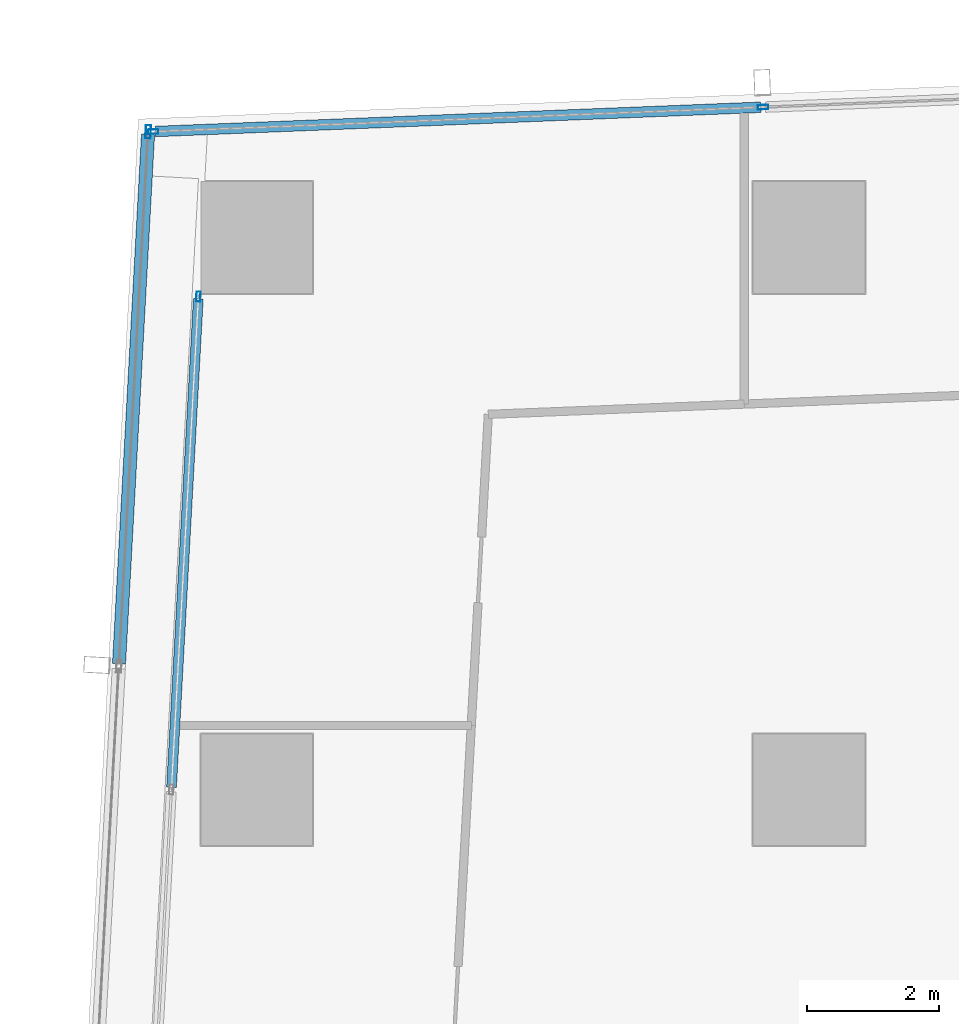
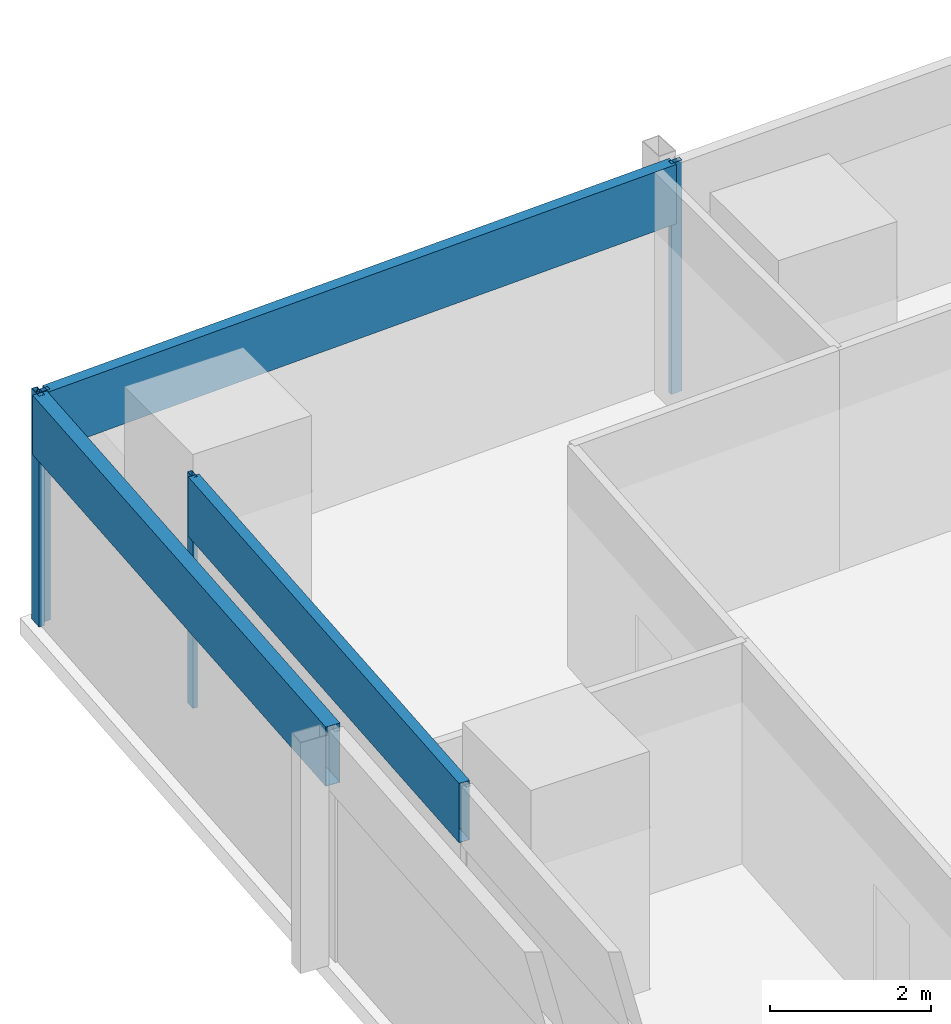
# One storey, part 15 of 40: 7 members, 3 elements without a shape of their own.
"""IFC4 building model written with IfcOpenShell, lengths in metres."""

from ifc_helpers import new_model, si_unit, direction, frame, origin, origin_2d, place, context, subcontext, project, spatial, hollow_rectangle, extrude, material, material_profile, profile_set, type_object, element, aggregate, save


model = new_model("IFC4")

# Units and contexts
model_context = context("Model", 3, precision=1e-05, world=origin(), true_north=direction((0.0, 1.0)))
body_context = subcontext(model_context, "Body", "Model", "MODEL_VIEW")
ifc_project = project(units=[si_unit("LENGTHUNIT", "METRE"), si_unit("AREAUNIT", "SQUARE_METRE"), si_unit("VOLUMEUNIT", "CUBIC_METRE"), si_unit("PLANEANGLEUNIT", "RADIAN"), si_unit("MASSUNIT", "GRAM", prefix="KILO")], contexts=[model_context])

# Site, building, storey
site_placement = place(None, origin())
site = spatial("IfcSite", under=ifc_project, at=site_placement, CompositionType="ELEMENT")
building_placement = place(site_placement, origin())
building = spatial("IfcBuilding", under=site, at=building_placement, Name="Rekha Terrace Tower", CompositionType="ELEMENT")
storey_placement = place(building_placement, frame((0.0, 0.0, 106.550048828125)))
storey = spatial("IfcBuildingStorey", under=building, at=storey_placement, Name="L26", CompositionType="ELEMENT", Elevation=106.550048828125)

# Curtain wall, members
ifc_material_1 = material(Name="Aluminium framing", Category="aluminium")
curtain_wall_type_1 = type_object("IfcCurtainWallType", Name="CW1 double skin inner glazing", PredefinedType="USERDEFINED", material=ifc_material_1)
curtain_wall_1_placement = place(storey_placement, origin())
curtain_wall_1 = element("IfcCurtainWall", 1, at=curtain_wall_1_placement, inside=storey, type_object=curtain_wall_type_1, Name="CW1 double skin inner glazing", ObjectType="DOUBLE SKIN INNER GLAZING", PredefinedType="USERDEFINED")
ifc_material_2 = material(Name="Aluminium mullion section", Category="aluminium")
ifc_material_profile_1 = material_profile(ifc_material_2, hollow_rectangle(XDim=0.06494140625, YDim=0.14990234375, WallThickness=0.00390625, at=origin_2d()), Name="AL RHS 65x150")
ifc_profile_set_1 = profile_set([ifc_material_profile_1], Name="Aluminium mullion section")
member_type_1 = type_object("IfcMemberType", Name="CW1 mullion RHS 65 x 150", PredefinedType="MULLION", material=ifc_profile_set_1)
member_1_placement = place(storey_placement, frame((7.513427734375, 57.8994140625, 0.0), z_axis=(0.0, 0.0, 1.0), x_axis=(0.99850051318, -0.054742352707, 0.0)))
member_1 = element("IfcMember", 2, at=member_1_placement, type_object=member_type_1, Name="CW1 mullion 1", PredefinedType="MULLION", context=body_context, shape_type="SweptSolid", body=[
    extrude(hollow_rectangle(XDim=0.06494140625, YDim=0.14990234375, WallThickness=0.00390625, at=origin_2d()), origin(), (0.0, 0.0, 1.0), 3.5),
])
ifc_material_3 = material(Name="Insulated aluminium spandrel box", Category="aluminium")
ifc_material_profile_2 = material_profile(ifc_material_3, hollow_rectangle(XDim=0.14990234375, YDim=0.89990234375, WallThickness=0.0029296875, at=origin_2d()), Name="AL SPANDREL BOX 150x900")
ifc_profile_set_2 = profile_set([ifc_material_profile_2], Name="Insulated aluminium spandrel box")
member_type_2 = type_object("IfcMemberType", Name="CW1 spandrel transom 150 x 900", PredefinedType="USERDEFINED", material=ifc_profile_set_2)
member_2_placement = place(storey_placement, frame((7.51171875, 57.866943359375, 3.050048828125), z_axis=(-0.054743356699, -0.998500458136, 0.0), x_axis=(0.998500458136, -0.054743356699, 0.0)))
member_2 = element("IfcMember", 3, at=member_2_placement, type_object=member_type_2, Name="CW1 spandrel transom 1", ObjectType="TRANSOM", PredefinedType="USERDEFINED", context=body_context, shape_type="SweptSolid", body=[
    extrude(hollow_rectangle(XDim=0.14990234375, YDim=0.89990234375, WallThickness=0.0029296875, at=origin_2d()), origin(), (0.0, 0.0, 1.0), 7.443359375),
])
aggregate(curtain_wall_1, [member_1, member_2])

curtain_wall_type_2 = type_object("IfcCurtainWallType", Name="CW2 double skin outer glazing", PredefinedType="USERDEFINED", material=ifc_material_1)
curtain_wall_2_placement = place(storey_placement, origin())
curtain_wall_2 = element("IfcCurtainWall", 4, at=curtain_wall_2_placement, inside=storey, type_object=curtain_wall_type_2, Name="CW2 double skin outer glazing", ObjectType="DOUBLE SKIN OUTER GLAZING", PredefinedType="USERDEFINED")
ifc_material_profile_3 = material_profile(ifc_material_2, hollow_rectangle(XDim=0.080078125, YDim=0.199951171875, WallThickness=0.00390625, at=origin_2d()), Name="AL RHS 80x200")
ifc_profile_set_3 = profile_set([ifc_material_profile_3], Name="Aluminium mullion section")
member_type_3 = type_object("IfcMemberType", Name="CW2 mullion RHS 80 x 200", PredefinedType="MULLION", material=ifc_profile_set_3)
member_3_placement = place(storey_placement, frame((6.74951171875, 60.406005859375, 0.0), z_axis=(0.0, 0.0, 1.0), x_axis=(0.99850051318, -0.054742352707, 0.0)))
member_3 = element("IfcMember", 5, at=member_3_placement, type_object=member_type_3, Name="CW2 mullion 1", PredefinedType="MULLION", context=body_context, shape_type="SweptSolid", body=[
    extrude(hollow_rectangle(XDim=0.080078125, YDim=0.199951171875, WallThickness=0.00390625, at=origin_2d()), origin(), (0.0, 0.0, 1.0), 3.5),
])
ifc_material_profile_4 = material_profile(ifc_material_3, hollow_rectangle(XDim=0.199951171875, YDim=0.89990234375, WallThickness=0.0029296875, at=origin_2d()), Name="AL SPANDREL BOX 200x900")
ifc_profile_set_4 = profile_set([ifc_material_profile_4], Name="Insulated aluminium spandrel box")
member_type_4 = type_object("IfcMemberType", Name="CW2 spandrel transom 200 x 900", PredefinedType="USERDEFINED", material=ifc_profile_set_4)
member_4_placement = place(storey_placement, frame((6.747314453125, 60.365966796875, 3.050048828125), z_axis=(-0.054735200093, -0.998500905293, 0.0), x_axis=(0.998500905293, -0.054735200093, 0.0)))
member_4 = element("IfcMember", 6, at=member_4_placement, type_object=member_type_4, Name="CW2 spandrel transom 1", ObjectType="TRANSOM", PredefinedType="USERDEFINED", context=body_context, shape_type="SweptSolid", body=[
    extrude(hollow_rectangle(XDim=0.199951171875, YDim=0.89990234375, WallThickness=0.0029296875, at=origin_2d()), origin(), (0.0, 0.0, 1.0), 8.059814453125),
])
aggregate(curtain_wall_2, [member_3, member_4])

curtain_wall_type_3 = type_object("IfcCurtainWallType", Name="CW3 north unitised glazing", PredefinedType="USERDEFINED", material=ifc_material_1)
curtain_wall_3_placement = place(storey_placement, origin())
curtain_wall_3 = element("IfcCurtainWall", 7, at=curtain_wall_3_placement, inside=storey, type_object=curtain_wall_type_3, Name="CW3 unitised curtain wall", ObjectType="UNITISED CURTAIN WALL", PredefinedType="USERDEFINED")
ifc_material_profile_5 = material_profile(ifc_material_2, hollow_rectangle(XDim=0.070068359375, YDim=0.159912109375, WallThickness=0.00390625, at=origin_2d()), Name="AL RHS 70x160")
ifc_profile_set_5 = profile_set([ifc_material_profile_5], Name="Aluminium mullion section")
member_type_5 = type_object("IfcMemberType", Name="CW3 mullion RHS 70 x 160", PredefinedType="MULLION", material=ifc_profile_set_5)
member_5_placement = place(storey_placement, frame((16.101806640625, 60.780517578125, 0.0), z_axis=(0.0, 0.0, 1.0), x_axis=(0.040031987119, -0.999198398721, 0.0)))
member_5 = element("IfcMember", 8, at=member_5_placement, type_object=member_type_5, Name="CW3 mullion 4", PredefinedType="MULLION", context=body_context, shape_type="SweptSolid", body=[
    extrude(hollow_rectangle(XDim=0.070068359375, YDim=0.159912109375, WallThickness=0.00390625, at=origin_2d()), origin(), (0.0, 0.0, 1.0), 3.5),
])
member_6_placement = place(storey_placement, frame((6.82470703125, 60.408935546875, 0.0), z_axis=(0.0, 0.0, 1.0), x_axis=(0.040031987119, -0.999198398721, 0.0)))
member_6 = element("IfcMember", 9, at=member_6_placement, type_object=member_type_5, Name="CW3 mullion 5", PredefinedType="MULLION", context=body_context, shape_type="SweptSolid", body=[
    extrude(hollow_rectangle(XDim=0.070068359375, YDim=0.159912109375, WallThickness=0.00390625, at=origin_2d()), origin(), (0.0, 0.0, 1.0), 3.5),
])
ifc_material_profile_6 = material_profile(ifc_material_3, hollow_rectangle(XDim=0.159912109375, YDim=0.89990234375, WallThickness=0.0029296875, at=origin_2d()), Name="AL SPANDREL BOX 160x900")
ifc_profile_set_6 = profile_set([ifc_material_profile_6], Name="Insulated aluminium spandrel box")
member_type_6 = type_object("IfcMemberType", Name="CW3 spandrel transom 160 x 900", PredefinedType="USERDEFINED", material=ifc_profile_set_6)
member_7_placement = place(storey_placement, frame((16.06689453125, 60.779052734375, 3.050048828125), z_axis=(-0.999198332483, -0.040033640399, 0.0), x_axis=(0.040033640399, -0.999198332483, 0.0)))
member_7 = element("IfcMember", 10, at=member_7_placement, type_object=member_type_6, Name="CW3 spandrel transom 4", ObjectType="TRANSOM", PredefinedType="USERDEFINED", context=body_context, shape_type="SweptSolid", body=[
    extrude(hollow_rectangle(XDim=0.159912109375, YDim=0.89990234375, WallThickness=0.0029296875, at=origin_2d()), origin(), (0.0, 0.0, 1.0), 9.214599609375),
])
aggregate(curtain_wall_3, [member_5, member_6, member_7])

save(model, "model.ifc")
